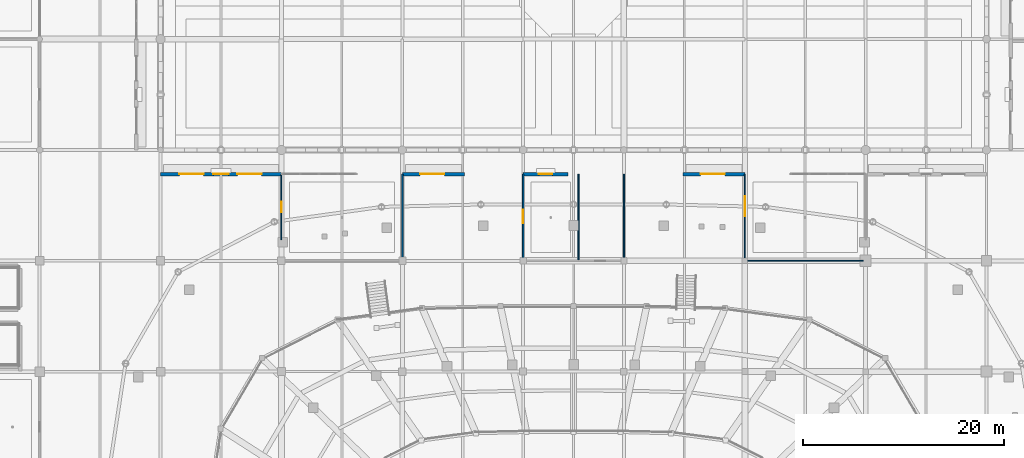
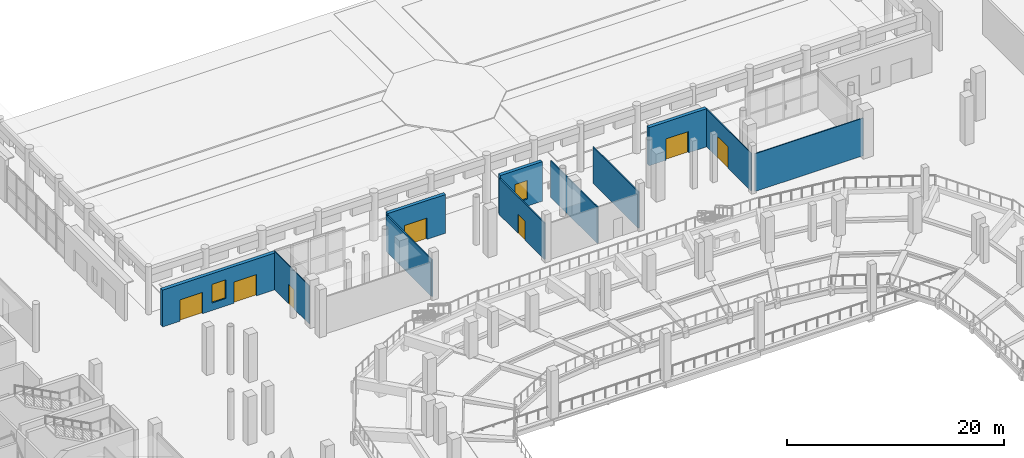
# One storey, part 62 of 120: 11 walls, 7 doors, 2 windows, 9 openings.
"""IFC4 building model written with IfcOpenShell, lengths in metres."""

from ifc_helpers import new_model, si_unit, direction, frame, frame_2d, origin, place, context, subcontext, project, spatial, rectangle, extrude, material, layer, layer_set, type_object, element, fill, save


model = new_model("IFC4")

# Units and contexts
model_context = context("Model", 3, precision=1e-05, world=origin(), true_north=direction((0.0, 1.0)))
body_context = subcontext(model_context, "Body", "Model", "MODEL_VIEW")
ifc_project = project(units=[si_unit("LENGTHUNIT", "METRE"), si_unit("AREAUNIT", "SQUARE_METRE"), si_unit("VOLUMEUNIT", "CUBIC_METRE"), si_unit("PLANEANGLEUNIT", "RADIAN"), si_unit("MASSUNIT", "GRAM", prefix="KILO")], contexts=[model_context])

# Site, building, storey
site_placement = place(None, origin())
site = spatial("IfcSite", under=ifc_project, at=site_placement, CompositionType="ELEMENT")
building_placement = place(site_placement, origin())
building = spatial("IfcBuilding", under=site, at=building_placement, Name="Luwafu Chhajja Arena", CompositionType="ELEMENT")
storey_placement = place(building_placement, origin())
storey = spatial("IfcBuildingStorey", under=building, at=storey_placement, Name="L00", CompositionType="ELEMENT", Elevation=0.0)

# Wall
ifc_material_1 = material(Name="Lightweight blockwork partition", Category="masonry")
ifc_layer_1 = layer(ifc_material_1, 0.139892578125, Name="Lightweight blockwork partition")
ifc_layer_set_1 = layer_set([ifc_layer_1], Name="Lightweight blockwork partition")
wall_type_1 = type_object("IfcWallType", Name="Concourse Kiosk Partition 140", PredefinedType="PARTITIONING", material=ifc_layer_set_1)
wall_1_placement = place(storey_placement, frame((82.0, 88.219970703125, 0.0), z_axis=(0.0, 0.0, 1.0), x_axis=(0.0, 1.0, 0.0)))
element("IfcWall", 1, at=wall_1_placement, inside=storey, type_object=wall_type_1, Name="L00 Internal Partition 0164", PredefinedType="PARTITIONING", context=body_context, shape_type="SweptSolid", body=[
    extrude(rectangle(XDim=8.380126953125, YDim=0.139892578125, at=frame_2d((4.18994140625, 0.0))), origin(), (0.0, 0.0, 1.0), 4.14990234375),
])

# Wall, opening, door
wall_2_placement = place(storey_placement, frame((94.0, 88.219970703125, 0.0), z_axis=(0.0, 0.0, 1.0), x_axis=(0.0, 1.0, 0.0)))
wall_2 = element("IfcWall", 2, at=wall_2_placement, inside=storey, type_object=wall_type_1, Name="L00 Internal Partition 0165", PredefinedType="PARTITIONING", context=body_context, shape_type="SweptSolid", body=[
    extrude(rectangle(XDim=8.380126953125, YDim=0.139892578125, at=frame_2d((4.18994140625, 0.0))), origin(), (0.0, 0.0, 1.0), 4.10009765625),
])
opening_1_placement = place(wall_2_placement, frame((3.52001953125, 0.0, 0.0)))
opening_1 = element("IfcOpeningElement", 3, at=opening_1_placement, cuts=wall_2, Name="Opening DR-26", PredefinedType="OPENING", context=body_context, shape_type="SweptSolid", body=[
    extrude(rectangle(XDim=1.340087890625, YDim=2.14990234375, at=frame_2d((0.669921875, 1.074951171875))), frame((0.0, 0.079833984375, 0.0), z_axis=(0.0, -1.0, 0.0), x_axis=(1.0, 0.0, 0.0)), (0.0, 0.0, 1.0), 0.159912109375),
])
ifc_material_2 = material(Name="Hardwood service leaf", Category="wood")
door_type_1 = type_object("IfcDoorType", Name="DR-26", OperationType="NOTDEFINED", PredefinedType="DOOR", material=ifc_material_2)
door_1_placement = place(opening_1_placement, origin())
door_1 = element("IfcDoor", 4, at=door_1_placement, inside=storey, type_object=door_type_1, Name="L00 Interior Door L00-D044", OperationType="SINGLE_SWING_RIGHT", OverallHeight=2.14990234375, OverallWidth=1.340087890625, PredefinedType="DOOR", context=body_context, shape_type="SweptSolid", body=[
    extrude(rectangle(XDim=1.340087890625, YDim=2.14990234375, at=frame_2d((0.669921875, 1.074951171875))), frame((0.0, 0.02490234375, 0.0), z_axis=(0.0, -1.0, 0.0), x_axis=(1.0, 0.0, 0.0)), (0.0, 0.0, 1.0), 0.050048828125),
])
fill(opening_1, door_1)

ifc_material_3 = material(Name="Gypsum plasterboard partition")
ifc_layer_2 = layer(ifc_material_3, 0.10009765625, Name="Gypsum plasterboard partition")
ifc_layer_set_2 = layer_set([ifc_layer_2], Name="Gypsum plasterboard partition")
wall_type_2 = type_object("IfcWallType", Name="Drywall Lining Partition 100", PredefinedType="PARTITIONING", material=ifc_layer_set_2)
wall_3_placement = place(storey_placement, frame((70.0, 90.0654296875, 0.0), z_axis=(0.0, 0.0, 1.0), x_axis=(0.0, 1.0, 0.0)))
wall_3 = element("IfcWall", 5, at=wall_3_placement, inside=storey, type_object=wall_type_2, Name="L00 Internal Partition 0162", PredefinedType="PARTITIONING", context=body_context, shape_type="SweptSolid", body=[
    extrude(rectangle(XDim=6.53466796875, YDim=0.10009765625, at=frame_2d((3.267333984375, 0.0))), origin(), (0.0, 0.0, 1.0), 4.300048828125),
])
opening_2_placement = place(wall_3_placement, frame((2.747314453125, 0.0, 0.0)))
opening_2 = element("IfcOpeningElement", 6, at=opening_2_placement, cuts=wall_3, Name="Opening DR-28", PredefinedType="OPENING", context=body_context, shape_type="SweptSolid", body=[
    extrude(rectangle(XDim=1.0400390625, YDim=2.14990234375, at=frame_2d((0.52001953125, 1.074951171875))), frame((0.0, 0.06005859375, 0.0), z_axis=(0.0, -1.0, 0.0), x_axis=(1.0, 0.0, 0.0)), (0.0, 0.0, 1.0), 0.1201171875),
])
ifc_material_4 = material(Name="Moisture-resistant laminate leaf")
door_type_2 = type_object("IfcDoorType", Name="DR-28", OperationType="NOTDEFINED", PredefinedType="DOOR", material=ifc_material_4)
door_2_placement = place(opening_2_placement, origin())
door_2 = element("IfcDoor", 7, at=door_2_placement, inside=storey, type_object=door_type_2, Name="L00 Interior Door L00-D043", OperationType="SINGLE_SWING_LEFT", OverallHeight=2.14990234375, OverallWidth=1.0400390625, PredefinedType="DOOR", context=body_context, shape_type="SweptSolid", body=[
    extrude(rectangle(XDim=1.0400390625, YDim=2.14990234375, at=frame_2d((0.52001953125, 1.074951171875))), frame((0.0, 0.02490234375, 0.0), z_axis=(0.0, -1.0, 0.0), x_axis=(1.0, 0.0, 0.0)), (0.0, 0.0, 1.0), 0.050048828125),
])
fill(opening_2, door_2)

wall_4_placement = place(storey_placement, frame((116.0, 88.219970703125, 0.0), z_axis=(0.0, 0.0, 1.0), x_axis=(0.0, 1.0, 0.0)))
wall_4 = element("IfcWall", 8, at=wall_4_placement, inside=storey, type_object=wall_type_2, Name="L00 Internal Partition 0169", PredefinedType="PARTITIONING", context=body_context, shape_type="SweptSolid", body=[
    extrude(rectangle(XDim=8.380126953125, YDim=0.10009765625, at=frame_2d((4.18994140625, 0.0))), origin(), (0.0, 0.0, 1.0), 4.25),
])
opening_3_placement = place(wall_4_placement, frame((4.220703125, 0.0, 0.0)))
opening_3 = element("IfcOpeningElement", 9, at=opening_3_placement, cuts=wall_4, Name="Opening DR-25", PredefinedType="OPENING", context=body_context, shape_type="SweptSolid", body=[
    extrude(rectangle(XDim=1.949951171875, YDim=2.39990234375, at=frame_2d((0.97509765625, 1.199951171875))), frame((0.0, 0.06005859375, 0.0), z_axis=(0.0, -1.0, 0.0), x_axis=(1.0, 0.0, 0.0)), (0.0, 0.0, 1.0), 0.1201171875),
])
ifc_material_5 = material(Name="Anodised bronze glazed double door")
door_type_3 = type_object("IfcDoorType", Name="DR-25", OperationType="DOUBLE_DOOR_SINGLE_SWING", PredefinedType="DOOR", material=ifc_material_5)
door_3_placement = place(opening_3_placement, origin())
door_3 = element("IfcDoor", 10, at=door_3_placement, inside=storey, type_object=door_type_3, Name="L00 Interior Door L00-D046", OperationType="DOUBLE_DOOR_SINGLE_SWING", OverallHeight=2.39990234375, OverallWidth=1.949951171875, PredefinedType="DOOR", context=body_context, shape_type="SweptSolid", body=[
    extrude(rectangle(XDim=1.949951171875, YDim=2.39990234375, at=frame_2d((0.97509765625, 1.199951171875))), frame((0.0, 0.02490234375, 0.0), z_axis=(0.0, -1.0, 0.0), x_axis=(1.0, 0.0, 0.0)), (0.0, 0.0, 1.0), 0.050048828125),
])
fill(opening_3, door_3)

# Walls
wall_5_placement = place(storey_placement, frame((116.219970703125, 88.0, 0.0), z_axis=(0.0, 0.0, 1.0), x_axis=(1.0, 0.0, 0.0)))
element("IfcWall", 11, at=wall_5_placement, inside=storey, type_object=wall_type_2, Name="L00 Internal Partition 0170", PredefinedType="PARTITIONING", context=body_context, shape_type="SweptSolid", body=[
    extrude(rectangle(XDim=11.56005859375, YDim=0.10009765625, at=frame_2d((5.780029296875, 0.0))), origin(), (0.0, 0.0, 1.0), 4.25),
])
ifc_material_6 = material(Name="Acoustic metal-stud gypsum board")
ifc_layer_3 = layer(ifc_material_6, 0.1201171875, Name="Acoustic metal-stud gypsum board")
ifc_layer_set_3 = layer_set([ifc_layer_3], Name="Acoustic metal-stud gypsum board")
wall_type_3 = type_object("IfcWallType", Name="Internal Room Partition 120", PredefinedType="PARTITIONING", material=ifc_layer_set_3)
wall_6_placement = place(storey_placement, frame((104.0, 88.219970703125, 0.0), z_axis=(0.0, 0.0, 1.0), x_axis=(0.0, 1.0, 0.0)))
element("IfcWall", 12, at=wall_6_placement, inside=storey, type_object=wall_type_3, Name="L00 Internal Partition 0168", PredefinedType="PARTITIONING", context=body_context, shape_type="SweptSolid", body=[
    extrude(rectangle(XDim=8.380126953125, YDim=0.1201171875, at=frame_2d((4.18994140625, 0.0))), origin(), (0.0, 0.0, 1.0), 4.10009765625),
])
wall_7_placement = place(storey_placement, frame((99.5, 88.0, 0.0), z_axis=(0.0, 0.0, 1.0), x_axis=(0.0, 1.0, 0.0)))
element("IfcWall", 13, at=wall_7_placement, inside=storey, type_object=wall_type_3, Name="L00 Internal Partition 0205", PredefinedType="PARTITIONING", context=body_context, shape_type="SweptSolid", body=[
    extrude(rectangle(XDim=8.60009765625, YDim=0.1201171875, at=frame_2d((4.300048828125, 0.0))), origin(), (0.0, 0.0, 1.0), 4.10009765625),
])

# Wall, openings, window, doors
ifc_material_7 = material(Name="Concrete C35/45", Category="concrete")
ifc_layer_4 = layer(ifc_material_7, 0.360107421875, Name="Concrete C35/45")
ifc_layer_set_4 = layer_set([ifc_layer_4], Name="Concrete C35/45")
wall_type_4 = type_object("IfcWallType", Name="Sandstone Backed Exterior Wall 360", PredefinedType="SOLIDWALL", material=ifc_layer_set_4)
wall_8_placement = place(storey_placement, frame((58.0, 96.60009765625, 0.0), z_axis=(0.0, 0.0, 1.0), x_axis=(1.0, 0.0, 0.0)))
wall_8 = element("IfcWall", 14, at=wall_8_placement, inside=storey, type_object=wall_type_4, Name="L00 Exterior Wall WEX-L00-076", PredefinedType="SOLIDWALL", context=body_context, shape_type="SweptSolid", body=[
    extrude(rectangle(XDim=12.0, YDim=0.360107421875, at=frame_2d((6.0, 0.0))), origin(), (0.0, 0.0, 1.0), 4.14990234375),
])
opening_4_placement = place(wall_8_placement, frame((1.8701171875, 0.0, 0.0)))
opening_4 = element("IfcOpeningElement", 15, at=opening_4_placement, cuts=wall_8, Name="Opening GD-01", PredefinedType="OPENING", context=body_context, shape_type="SweptSolid", body=[
    extrude(rectangle(XDim=2.39990234375, YDim=2.39990234375, at=frame_2d((1.199951171875, 1.199951171875))), frame((0.0, 0.18994140625, 0.0), z_axis=(0.0, -1.0, 0.0), x_axis=(1.0, 0.0, 0.0)), (0.0, 0.0, 1.0), 0.380126953125),
])
opening_5_placement = place(wall_8_placement, frame((7.6298828125, 0.0, 0.0)))
opening_5 = element("IfcOpeningElement", 16, at=opening_5_placement, cuts=wall_8, Name="Opening GD-01", PredefinedType="OPENING", context=body_context, shape_type="SweptSolid", body=[
    extrude(rectangle(XDim=2.39990234375, YDim=2.39990234375, at=frame_2d((1.199951171875, 1.199951171875))), frame((0.0, 0.18994140625, 0.0), z_axis=(0.0, -1.0, 0.0), x_axis=(1.0, 0.0, 0.0)), (0.0, 0.0, 1.0), 0.380126953125),
])
opening_6_placement = place(wall_8_placement, frame((5.25, 0.0, 0.85009765625)))
opening_6 = element("IfcOpeningElement", 17, at=opening_6_placement, cuts=wall_8, Name="Opening WN-02", PredefinedType="OPENING", context=body_context, shape_type="SweptSolid", body=[
    extrude(rectangle(XDim=1.5, YDim=2.10009765625, at=frame_2d((0.75, 1.050048828125))), frame((0.0, 0.18994140625, 0.0), z_axis=(0.0, -1.0, 0.0), x_axis=(1.0, 0.0, 0.0)), (0.0, 0.0, 1.0), 0.380126953125),
])
ifc_material_8 = material(Name="Solar-control laminated glass", Category="glass")
window_type_1 = type_object("IfcWindowType", Name="Mughal Deep-Reveal Punched Window 1500x2100", PartitioningType="SINGLE_PANEL", PredefinedType="WINDOW", material=ifc_material_8)
window_1_placement = place(opening_6_placement, origin())
window_1 = element("IfcWindow", 18, at=window_1_placement, inside=storey, type_object=window_type_1, Name="L00 Facade Window 275", OverallHeight=2.10009765625, OverallWidth=1.5, PartitioningType="SINGLE_PANEL", PredefinedType="WINDOW", context=body_context, shape_type="SweptSolid", body=[
    extrude(rectangle(XDim=1.5, YDim=2.10009765625, at=frame_2d((0.75, 1.050048828125))), frame((0.0, 0.030029296875, 0.0), z_axis=(0.0, -1.0, 0.0), x_axis=(1.0, 0.0, 0.0)), (0.0, 0.0, 1.0), 0.06005859375),
])
fill(opening_6, window_1)
ifc_material_9 = material(Name="Anodised bronze aluminium and toughened glass", Category="aluminium")
door_type_4 = type_object("IfcDoorType", Name="GD-01", OperationType="DOUBLE_DOOR_SINGLE_SWING", PredefinedType="DOOR", material=ifc_material_9)
door_4_placement = place(opening_4_placement, origin())
door_4 = element("IfcDoor", 19, at=door_4_placement, inside=storey, type_object=door_type_4, Name="Pedestrian exit gate GT-04", OperationType="DOUBLE_DOOR_SINGLE_SWING", OverallHeight=2.39990234375, OverallWidth=2.39990234375, PredefinedType="DOOR", context=body_context, shape_type="SweptSolid", body=[
    extrude(rectangle(XDim=2.39990234375, YDim=2.39990234375, at=frame_2d((1.199951171875, 1.199951171875))), frame((0.0, 0.02490234375, 0.0), z_axis=(0.0, -1.0, 0.0), x_axis=(1.0, 0.0, 0.0)), (0.0, 0.0, 1.0), 0.050048828125),
])
fill(opening_4, door_4)
door_5_placement = place(opening_5_placement, origin())
door_5 = element("IfcDoor", 20, at=door_5_placement, inside=storey, type_object=door_type_4, Name="Pedestrian exit gate GT-05", OperationType="DOUBLE_DOOR_SINGLE_SWING", OverallHeight=2.39990234375, OverallWidth=2.39990234375, PredefinedType="DOOR", context=body_context, shape_type="SweptSolid", body=[
    extrude(rectangle(XDim=2.39990234375, YDim=2.39990234375, at=frame_2d((1.199951171875, 1.199951171875))), frame((0.0, 0.02490234375, 0.0), z_axis=(0.0, -1.0, 0.0), x_axis=(1.0, 0.0, 0.0)), (0.0, 0.0, 1.0), 0.050048828125),
])
fill(opening_5, door_5)

# Wall, opening, door
wall_9_placement = place(storey_placement, frame((82.0, 96.60009765625, 0.0), z_axis=(0.0, 0.0, 1.0), x_axis=(1.0, 0.0, 0.0)))
wall_9 = element("IfcWall", 21, at=wall_9_placement, inside=storey, type_object=wall_type_4, Name="L00 Exterior Wall WEX-L00-077", PredefinedType="SOLIDWALL", context=body_context, shape_type="SweptSolid", body=[
    extrude(rectangle(XDim=6.156982421875, YDim=0.360107421875, at=frame_2d((3.07861328125, 0.0))), origin(), (0.0, 0.0, 1.0), 4.366455078125),
])
opening_7_placement = place(wall_9_placement, frame((1.778564453125, 0.0, 0.0)))
opening_7 = element("IfcOpeningElement", 22, at=opening_7_placement, cuts=wall_9, Name="Opening GD-01", PredefinedType="OPENING", context=body_context, shape_type="SweptSolid", body=[
    extrude(rectangle(XDim=2.39990234375, YDim=2.39990234375, at=frame_2d((1.199951171875, 1.199951171875))), frame((0.0, 0.18994140625, 0.0), z_axis=(0.0, -1.0, 0.0), x_axis=(1.0, 0.0, 0.0)), (0.0, 0.0, 1.0), 0.380126953125),
])
door_6_placement = place(opening_7_placement, origin())
door_6 = element("IfcDoor", 23, at=door_6_placement, inside=storey, type_object=door_type_4, Name="Pedestrian exit gate GT-06", OperationType="DOUBLE_DOOR_SINGLE_SWING", OverallHeight=2.39990234375, OverallWidth=2.39990234375, PredefinedType="DOOR", context=body_context, shape_type="SweptSolid", body=[
    extrude(rectangle(XDim=2.39990234375, YDim=2.39990234375, at=frame_2d((1.199951171875, 1.199951171875))), frame((0.0, 0.02490234375, 0.0), z_axis=(0.0, -1.0, 0.0), x_axis=(1.0, 0.0, 0.0)), (0.0, 0.0, 1.0), 0.050048828125),
])
fill(opening_7, door_6)

# Wall, opening, window
wall_10_placement = place(storey_placement, frame((94.0, 96.60009765625, 0.0), z_axis=(0.0, 0.0, 1.0), x_axis=(1.0, 0.0, 0.0)))
wall_10 = element("IfcWall", 24, at=wall_10_placement, inside=storey, type_object=wall_type_4, Name="L00 Exterior Wall WEX-L00-078", PredefinedType="SOLIDWALL", context=body_context, shape_type="SweptSolid", body=[
    extrude(rectangle(XDim=4.4580078125, YDim=0.360107421875, at=frame_2d((2.22900390625, 0.0))), origin(), (0.0, 0.0, 1.0), 4.449951171875),
])
opening_8_placement = place(wall_10_placement, frame((1.55419921875, 0.0, 0.800048828125)))
opening_8 = element("IfcOpeningElement", 25, at=opening_8_placement, cuts=wall_10, Name="Opening WN-17", PredefinedType="OPENING", context=body_context, shape_type="SweptSolid", body=[
    extrude(rectangle(XDim=1.35009765625, YDim=2.10009765625, at=frame_2d((0.675048828125, 1.050048828125))), frame((0.0, 0.18994140625, 0.0), z_axis=(0.0, -1.0, 0.0), x_axis=(1.0, 0.0, 0.0)), (0.0, 0.0, 1.0), 0.380126953125),
])
window_type_2 = type_object("IfcWindowType", Name="Exhibition Mezzanine Lancet Window 1350x2100", PartitioningType="SINGLE_PANEL", PredefinedType="WINDOW", material=ifc_material_8)
window_2_placement = place(opening_8_placement, origin())
window_2 = element("IfcWindow", 26, at=window_2_placement, inside=storey, type_object=window_type_2, Name="L00 Facade Window 276", OverallHeight=2.10009765625, OverallWidth=1.35009765625, PartitioningType="SINGLE_PANEL", PredefinedType="WINDOW", context=body_context, shape_type="SweptSolid", body=[
    extrude(rectangle(XDim=1.35009765625, YDim=2.10009765625, at=frame_2d((0.675048828125, 1.050048828125))), frame((0.0, 0.030029296875, 0.0), z_axis=(0.0, -1.0, 0.0), x_axis=(1.0, 0.0, 0.0)), (0.0, 0.0, 1.0), 0.06005859375),
])
fill(opening_8, window_2)

# Wall, opening, door
wall_11_placement = place(storey_placement, frame((109.843017578125, 96.60009765625, 0.0), z_axis=(0.0, 0.0, 1.0), x_axis=(1.0, 0.0, 0.0)))
wall_11 = element("IfcWall", 27, at=wall_11_placement, inside=storey, type_object=wall_type_4, Name="L00 Exterior Wall WEX-L00-079", PredefinedType="SOLIDWALL", context=body_context, shape_type="SweptSolid", body=[
    extrude(rectangle(XDim=6.156982421875, YDim=0.360107421875, at=frame_2d((3.07861328125, 0.0))), origin(), (0.0, 0.0, 1.0), 4.300048828125),
])
opening_9_placement = place(wall_11_placement, frame((1.778564453125, 0.0, 0.0)))
opening_9 = element("IfcOpeningElement", 28, at=opening_9_placement, cuts=wall_11, Name="Opening GD-01", PredefinedType="OPENING", context=body_context, shape_type="SweptSolid", body=[
    extrude(rectangle(XDim=2.39990234375, YDim=2.39990234375, at=frame_2d((1.199951171875, 1.199951171875))), frame((0.0, 0.18994140625, 0.0), z_axis=(0.0, -1.0, 0.0), x_axis=(1.0, 0.0, 0.0)), (0.0, 0.0, 1.0), 0.380126953125),
])
door_7_placement = place(opening_9_placement, origin())
door_7 = element("IfcDoor", 29, at=door_7_placement, inside=storey, type_object=door_type_4, Name="Pedestrian exit gate GT-07", OperationType="DOUBLE_DOOR_SINGLE_SWING", OverallHeight=2.39990234375, OverallWidth=2.39990234375, PredefinedType="DOOR", context=body_context, shape_type="SweptSolid", body=[
    extrude(rectangle(XDim=2.39990234375, YDim=2.39990234375, at=frame_2d((1.199951171875, 1.199951171875))), frame((0.0, 0.02490234375, 0.0), z_axis=(0.0, -1.0, 0.0), x_axis=(1.0, 0.0, 0.0)), (0.0, 0.0, 1.0), 0.050048828125),
])
fill(opening_9, door_7)

save(model, "model.ifc")
